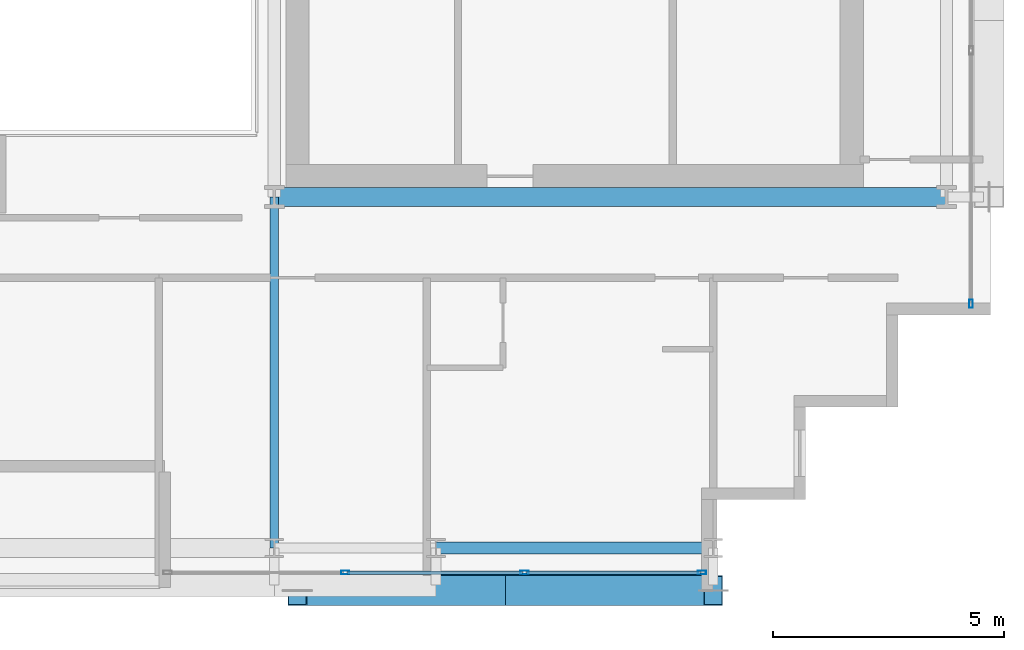
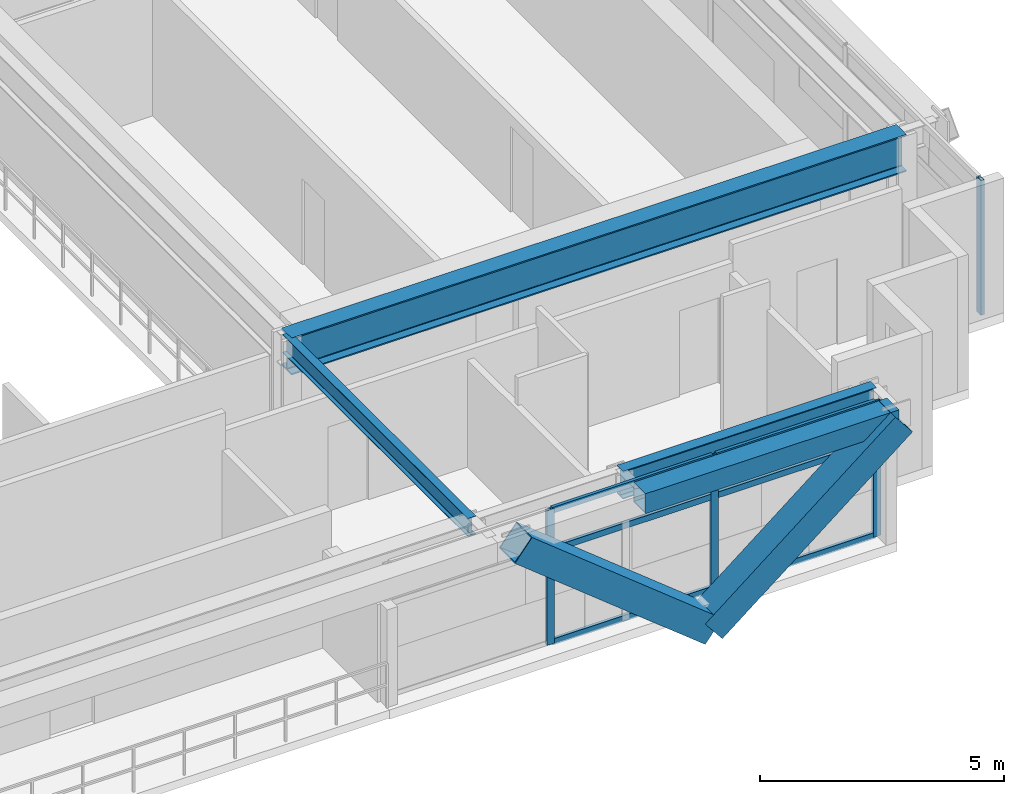
# One storey, part 10 of 32: 12 members, 4 beams, 2 elements without a shape of their own.
"""IFC4 building model written with IfcOpenShell, lengths in metres."""

from ifc_helpers import new_model, si_unit, direction, frame, origin, origin_2d, place, context, subcontext, project, spatial, hollow_rectangle, i_section, extrude, source, transform, mapped, material, layer, layer_set, material_profile, profile_set, type_object, element, aggregate, save


model = new_model("IFC4")

# Units and contexts
model_context = context("Model", 3, precision=1e-05, world=origin(), true_north=direction((0.0, 1.0)))
body_context = subcontext(model_context, "Body", "Model", "MODEL_VIEW")
ifc_project = project(units=[si_unit("LENGTHUNIT", "METRE"), si_unit("AREAUNIT", "SQUARE_METRE"), si_unit("VOLUMEUNIT", "CUBIC_METRE"), si_unit("PLANEANGLEUNIT", "RADIAN"), si_unit("MASSUNIT", "GRAM", prefix="KILO")], contexts=[model_context])

# Site, building, storey
site_placement = place(None, origin())
site = spatial("IfcSite", under=ifc_project, at=site_placement, CompositionType="ELEMENT")
building_placement = place(site_placement, origin())
building = spatial("IfcBuilding", under=site, at=building_placement, Name="Ocotamira Hotel", CompositionType="ELEMENT")
storey_placement = place(building_placement, frame((0.0, 0.0, 184.800048828125)))
storey = spatial("IfcBuildingStorey", under=building, at=storey_placement, Name="L46", CompositionType="ELEMENT", Elevation=184.800048828125)

# Beams
ifc_material_1 = material(Name="Steel ASTM A992 Grade 50", Category="steel")
ifc_material_profile_1 = material_profile(ifc_material_1, i_section(OverallWidth=0.41796875, OverallDepth=0.927001953125, WebThickness=0.019287109375, FlangeThickness=0.031982421875, FilletRadius=0.02392578125, at=origin_2d()), Name="W36X231")
ifc_profile_set_1 = profile_set([ifc_material_profile_1], Name="Steel ASTM A992 Grade 50")
beam_type_1 = type_object("IfcBeamType", Name="BM-GIRD-W36X231", PredefinedType="BEAM", material=ifc_profile_set_1)
shared_shape_1 = source(origin(), body_context, "Body", "SweptSolid", [
    extrude(i_section(OverallWidth=0.41796875, OverallDepth=0.927001953125, WebThickness=0.019287109375, FlangeThickness=0.031982421875, FilletRadius=0.02392578125, at=origin_2d()), origin(), (0.0, 0.0, 1.0), 14.550048828125),
])
beam_1_placement = place(storey_placement, frame((40.5, 14.550048828125, 2.906494140625), z_axis=(1.0, 0.0, 0.0), x_axis=(0.0, 1.0, 0.0)))
element("IfcBeam", 1, at=beam_1_placement, inside=storey, type_object=beam_type_1, Name="L46 Girder Y14.55 X40.5-55.05", PredefinedType="BEAM", context=body_context, shape_type="MappedRepresentation", body=[
    mapped(shared_shape_1, transform((0.0, 0.0, 0.0), scale=1.0)),
])
ifc_material_profile_2 = material_profile(ifc_material_1, i_section(OverallWidth=0.256103515625, OverallDepth=0.693115234375, WebThickness=0.014404296875, FlangeThickness=0.023681640625, FilletRadius=0.01611328125, at=origin_2d()), Name="W27X114")
ifc_profile_set_2 = profile_set([ifc_material_profile_2], Name="Steel ASTM A992 Grade 50")
beam_type_2 = type_object("IfcBeamType", Name="BM-PRIM-W27X114", PredefinedType="BEAM", material=ifc_profile_set_2)
shared_shape_2 = source(origin(), body_context, "Body", "SweptSolid", [
    extrude(i_section(OverallWidth=0.256103515625, OverallDepth=0.693115234375, WebThickness=0.014404296875, FlangeThickness=0.023681640625, FilletRadius=0.01611328125, at=origin_2d()), origin(), (0.0, 0.0, 1.0), 6.0),
])
beam_2_placement = place(storey_placement, frame((44.0, 6.949951171875, 3.0234375), z_axis=(1.0, 0.0, 0.0), x_axis=(0.0, 1.0, 0.0)))
element("IfcBeam", 2, at=beam_2_placement, inside=storey, type_object=beam_type_2, Name="L46 Girder Y6.95 X44-50", PredefinedType="BEAM", context=body_context, shape_type="MappedRepresentation", body=[
    mapped(shared_shape_2, transform((0.0, 0.0, 0.0), scale=1.0)),
])
ifc_material_2 = material(Name="Steel ASTM A500 Grade C", Category="steel")
ifc_material_profile_3 = material_profile(ifc_material_2, hollow_rectangle(XDim=0.5, YDim=0.5, WallThickness=0.02001953125, at=origin_2d()), Name="HSS500X500X20")
ifc_profile_set_3 = profile_set([ifc_material_profile_3], Name="Steel ASTM A500 Grade C")
beam_type_3 = type_object("IfcBeamType", Name="BM-SPAN-HSS500", PredefinedType="USERDEFINED", material=ifc_profile_set_3)
shared_shape_3 = source(origin(), body_context, "Body", "SweptSolid", [
    extrude(hollow_rectangle(XDim=0.5, YDim=0.5, WallThickness=0.02001953125, at=origin_2d()), origin(), (0.0, 0.0, 1.0), 6.0),
])
beam_3_placement = place(storey_placement, frame((44.0, 6.14990234375, 3.119873046875), z_axis=(1.0, 0.0, 0.0), x_axis=(0.0, 1.0, 0.0)))
element("IfcBeam", 3, at=beam_3_placement, inside=storey, type_object=beam_type_3, Name="L46 Edge Spandrel S X44-50", ObjectType="SPANDREL", PredefinedType="USERDEFINED", context=body_context, shape_type="MappedRepresentation", body=[
    mapped(shared_shape_3, transform((0.0, 0.0, 0.0), scale=1.0)),
])
ifc_material_profile_4 = material_profile(ifc_material_1, i_section(OverallWidth=0.18994140625, OverallDepth=0.45703125, WebThickness=0.009033203125, FlangeThickness=0.014404296875, FilletRadius=0.010009765625, at=origin_2d()), Name="W18X50")
ifc_profile_set_4 = profile_set([ifc_material_profile_4], Name="Steel ASTM A992 Grade 50")
beam_type_4 = type_object("IfcBeamType", Name="BM-SEC-W18X50", PredefinedType="JOIST", material=ifc_profile_set_4)
shared_shape_4 = source(origin(), body_context, "Body", "SweptSolid", [
    extrude(i_section(OverallWidth=0.18994140625, OverallDepth=0.45703125, WebThickness=0.009033203125, FlangeThickness=0.014404296875, FilletRadius=0.010009765625, at=origin_2d()), origin(), (0.0, 0.0, 1.0), 7.60009765625),
])
beam_4_placement = place(storey_placement, frame((40.5, 6.949951171875, 3.141357421875), z_axis=(0.0, 1.0, 0.0), x_axis=(-1.0, 0.0, 0.0)))
element("IfcBeam", 4, at=beam_4_placement, inside=storey, type_object=beam_type_4, Name="L46 Beam X40.5 Y6.95-14.55", PredefinedType="JOIST", context=body_context, shape_type="MappedRepresentation", body=[
    mapped(shared_shape_4, transform((0.0, 0.0, 0.0), scale=1.0)),
])

# Members
ifc_material_3 = material(Name="Pale-metal coated steel ASTM A913 Grade 65", Category="steel")
ifc_material_profile_5 = material_profile(ifc_material_3, hollow_rectangle(XDim=0.64990234375, YDim=0.64990234375, WallThickness=0.02197265625, at=origin_2d()), Name="BOX650X650X22")
ifc_profile_set_5 = profile_set([ifc_material_profile_5], Name="Pale-metal coated steel ASTM A913 Grade 65")
member_type_1 = type_object("IfcMemberType", Name="MEM-EXO-BOX650", PredefinedType="BRACE", material=ifc_profile_set_5)
shared_shape_5 = source(origin(), body_context, "Body", "SweptSolid", [
    extrude(hollow_rectangle(XDim=0.64990234375, YDim=0.64990234375, WallThickness=0.02197265625, at=origin_2d()), origin(), (0.0, 0.0, 1.0), 5.7626953125),
])
for number, where, z_axis, x_axis, name in (
    (5, (45.5, 6.030029296875, -0.47998046875), (-0.780881208953, 0.0, 0.624679547852), (0.0, -1.0, 0.0), "L46 Exoskeleton Diagrid S3.1"),
    (6, (45.5, 6.030029296875, -0.47998046875), (0.780881208953, 0.0, 0.624679547852), (0.0, 1.0, 0.0), "L46 Exoskeleton Diagrid S3.2"),
):
    element("IfcMember", number, at=place(storey_placement, frame(where, z_axis=z_axis, x_axis=x_axis)), inside=storey, type_object=member_type_1, Name=name, PredefinedType="BRACE", context=body_context, shape_type="MappedRepresentation", body=[
        mapped(shared_shape_5, transform((0.0, 0.0, 0.0), scale=1.0)),
    ])

# Curtain wall, members
ifc_material_4 = material(Name="Anodised pale-metal aluminium and solar glass", Category="aluminium")
ifc_layer = layer(ifc_material_4, 0.199951171875)
ifc_layer_set = layer_set([ifc_layer], Name="Anodised pale-metal aluminium and solar glass")
curtain_wall_type = type_object("IfcCurtainWallType", Name="CW-SYS4-Z3", PredefinedType="NOTDEFINED", material=ifc_layer_set)
curtain_wall_1_placement = place(storey_placement, origin())
curtain_wall_1 = element("IfcCurtainWall", 7, at=curtain_wall_1_placement, inside=storey, type_object=curtain_wall_type, Name="L46 Curtain Wall CW-4 CW-L46-S2", PredefinedType="NOTDEFINED")
ifc_material_5 = material(Name="Anodised pale-metal aluminium 6063-T6", Category="aluminium")
ifc_material_profile_6 = material_profile(ifc_material_5, hollow_rectangle(XDim=0.080078125, YDim=0.179931640625, WallThickness=0.006103515625, at=origin_2d()), Name="HSS180X80X6")
ifc_profile_set_6 = profile_set([ifc_material_profile_6], Name="Anodised pale-metal aluminium 6063-T6")
member_type_2 = type_object("IfcMemberType", Name="CWM-180X75", PredefinedType="MULLION", material=ifc_profile_set_6)
shared_shape_6 = source(origin(), body_context, "Body", "SweptSolid", [
    extrude(hollow_rectangle(XDim=0.080078125, YDim=0.179931640625, WallThickness=0.006103515625, at=origin_2d()), origin(), (0.0, 0.0, 1.0), 3.369873046875),
])
member_1_placement = place(storey_placement, frame((42.033447265625, 6.419921875, 0.0), z_axis=(0.0, 0.0, 1.0), x_axis=(0.0, 1.0, 0.0)))
member_1 = element("IfcMember", 8, at=member_1_placement, type_object=member_type_2, Name="CW-4 mullion 2", PredefinedType="MULLION", context=body_context, shape_type="MappedRepresentation", body=[
    mapped(shared_shape_6, transform((0.0, 0.0, 0.0), scale=1.0)),
])
member_2_placement = place(storey_placement, frame((45.916748046875, 6.419921875, 0.0), z_axis=(0.0, 0.0, 1.0), x_axis=(0.0, 1.0, 0.0)))
member_2 = element("IfcMember", 9, at=member_2_placement, type_object=member_type_2, Name="CW-4 mullion 3", PredefinedType="MULLION", context=body_context, shape_type="MappedRepresentation", body=[
    mapped(shared_shape_6, transform((0.0, 0.0, 0.0), scale=1.0)),
])
member_3_placement = place(storey_placement, frame((49.760009765625, 6.419921875, 0.0), z_axis=(0.0, 0.0, 1.0), x_axis=(0.0, 1.0, 0.0)))
member_3 = element("IfcMember", 10, at=member_3_placement, type_object=member_type_2, Name="CW-4 mullion 4", PredefinedType="MULLION", context=body_context, shape_type="MappedRepresentation", body=[
    mapped(shared_shape_6, transform((0.0, 0.0, 0.0), scale=1.0)),
])

# Curtain wall, member
curtain_wall_2_placement = place(storey_placement, origin())
curtain_wall_2 = element("IfcCurtainWall", 11, at=curtain_wall_2_placement, inside=storey, type_object=curtain_wall_type, Name="L46 Curtain Wall CW-4 CW-L46-E", PredefinedType="NOTDEFINED")
member_4_placement = place(storey_placement, frame((55.580078125, 12.239990234375, 0.0), z_axis=(0.0, 0.0, 1.0), x_axis=(-1.0, 0.0, 0.0)))
member_4 = element("IfcMember", 12, at=member_4_placement, type_object=member_type_2, Name="CW-4 mullion 1", PredefinedType="MULLION", context=body_context, shape_type="MappedRepresentation", body=[
    mapped(shared_shape_6, transform((0.0, 0.0, 0.0), scale=1.0)),
])
aggregate(curtain_wall_2, [member_4])

# Member
ifc_material_profile_7 = material_profile(ifc_material_5, hollow_rectangle(XDim=0.074951171875, YDim=0.14990234375, WallThickness=0.006103515625, at=origin_2d()), Name="HSS150X75X6")
ifc_profile_set_7 = profile_set([ifc_material_profile_7], Name="Anodised pale-metal aluminium 6063-T6")
member_type_3 = type_object("IfcMemberType", Name="CWT-150X75", PredefinedType="USERDEFINED", material=ifc_profile_set_7)
shared_shape_7 = source(origin(), body_context, "Body", "SweptSolid", [
    extrude(hollow_rectangle(XDim=0.074951171875, YDim=0.14990234375, WallThickness=0.006103515625, at=origin_2d()), origin(), (0.0, 0.0, 1.0), 3.76318359375),
])
member_5_placement = place(storey_placement, frame((45.956787109375, 6.419921875, 0.037353515625), z_axis=(1.0, 0.0, 0.0), x_axis=(0.0, 1.0, 0.0)))
member_5 = element("IfcMember", 13, at=member_5_placement, type_object=member_type_3, Name="CW-4 transom 3.1", ObjectType="TRANSOM", PredefinedType="USERDEFINED", context=body_context, shape_type="MappedRepresentation", body=[
    mapped(shared_shape_7, transform((0.0, 0.0, 0.0), scale=1.0)),
])

member_6_placement = place(storey_placement, frame((45.956787109375, 6.419921875, 2.349853515625), z_axis=(1.0, 0.0, 0.0), x_axis=(0.0, 1.0, 0.0)))
member_6 = element("IfcMember", 14, at=member_6_placement, type_object=member_type_3, Name="CW-4 transom 3.2", ObjectType="TRANSOM", PredefinedType="USERDEFINED", context=body_context, shape_type="MappedRepresentation", body=[
    mapped(shared_shape_7, transform((0.0, 0.0, 0.0), scale=1.0)),
])

member_7_placement = place(storey_placement, frame((45.956787109375, 6.419921875, 3.33251953125), z_axis=(1.0, 0.0, 0.0), x_axis=(0.0, 1.0, 0.0)))
member_7 = element("IfcMember", 15, at=member_7_placement, type_object=member_type_3, Name="CW-4 transom 3.3", ObjectType="TRANSOM", PredefinedType="USERDEFINED", context=body_context, shape_type="MappedRepresentation", body=[
    mapped(shared_shape_7, transform((0.0, 0.0, 0.0), scale=1.0)),
])

shared_shape_8 = source(origin(), body_context, "Body", "SweptSolid", [
    extrude(hollow_rectangle(XDim=0.074951171875, YDim=0.14990234375, WallThickness=0.006103515625, at=origin_2d()), origin(), (0.0, 0.0, 1.0), 3.803466796875),
])
member_8_placement = place(storey_placement, frame((42.0732421875, 6.419921875, 0.037353515625), z_axis=(1.0, 0.0, 0.0), x_axis=(0.0, 1.0, 0.0)))
member_8 = element("IfcMember", 16, at=member_8_placement, type_object=member_type_3, Name="CW-4 transom 2.1", ObjectType="TRANSOM", PredefinedType="USERDEFINED", context=body_context, shape_type="MappedRepresentation", body=[
    mapped(shared_shape_8, transform((0.0, 0.0, 0.0), scale=1.0)),
])

member_9_placement = place(storey_placement, frame((42.0732421875, 6.419921875, 2.349853515625), z_axis=(1.0, 0.0, 0.0), x_axis=(0.0, 1.0, 0.0)))
member_9 = element("IfcMember", 17, at=member_9_placement, type_object=member_type_3, Name="CW-4 transom 2.2", ObjectType="TRANSOM", PredefinedType="USERDEFINED", context=body_context, shape_type="MappedRepresentation", body=[
    mapped(shared_shape_8, transform((0.0, 0.0, 0.0), scale=1.0)),
])

member_10_placement = place(storey_placement, frame((42.0732421875, 6.419921875, 3.33251953125), z_axis=(1.0, 0.0, 0.0), x_axis=(0.0, 1.0, 0.0)))
member_10 = element("IfcMember", 18, at=member_10_placement, type_object=member_type_3, Name="CW-4 transom 2.3", ObjectType="TRANSOM", PredefinedType="USERDEFINED", context=body_context, shape_type="MappedRepresentation", body=[
    mapped(shared_shape_8, transform((0.0, 0.0, 0.0), scale=1.0)),
])

aggregate(curtain_wall_1, [member_1, member_2, member_3, member_8, member_9, member_10, member_5, member_6, member_7])

save(model, "model.ifc")
